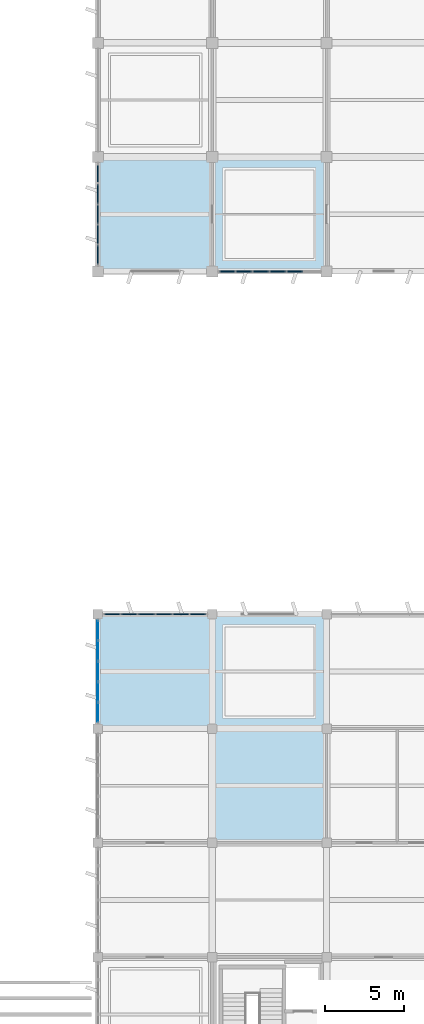
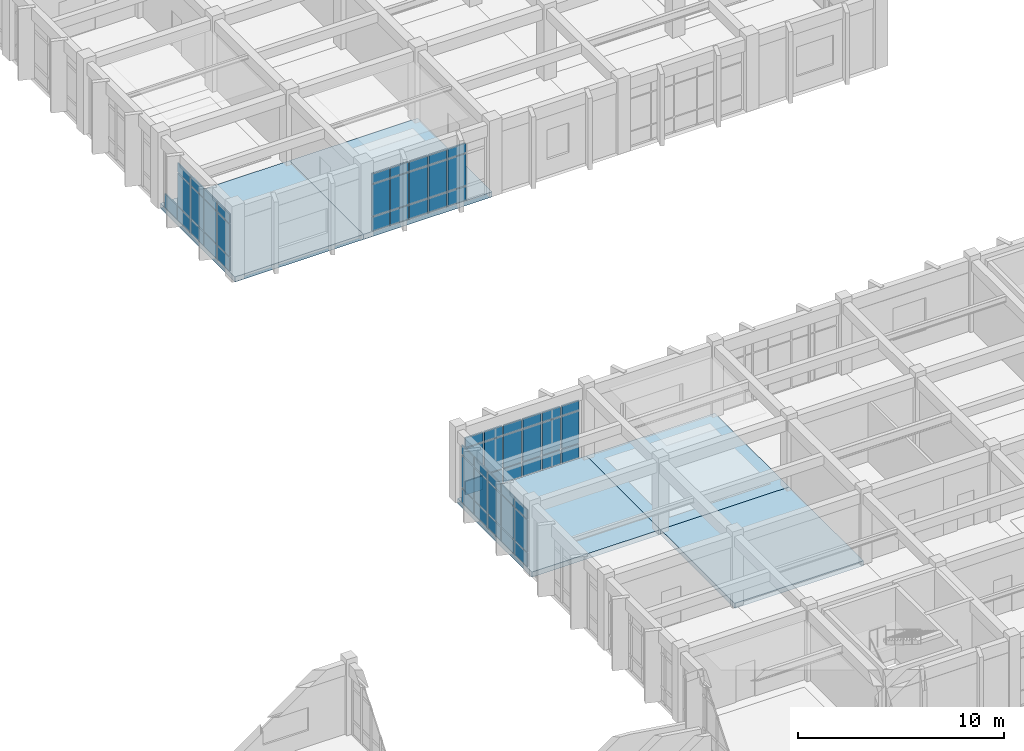
# One storey, part 43 of 81: 61 plates, 5 slabs, 4 elements without a shape of their own.
"""IFC4 building model written with IfcOpenShell, lengths in metres."""

from ifc_helpers import new_model, si_unit, direction, frame, origin, origin_2d, place, context, subcontext, project, spatial, polyline, rectangle, outline, extrude, material, layer, layer_set, type_object, element, aggregate, save


model = new_model("IFC4")

# Units and contexts
model_context = context("Model", 3, precision=1e-05, world=origin(), true_north=direction((0.0, 1.0)))
body_context = subcontext(model_context, "Body", "Model", "MODEL_VIEW")
ifc_project = project(units=[si_unit("LENGTHUNIT", "METRE"), si_unit("AREAUNIT", "SQUARE_METRE"), si_unit("VOLUMEUNIT", "CUBIC_METRE"), si_unit("PLANEANGLEUNIT", "RADIAN"), si_unit("MASSUNIT", "GRAM", prefix="KILO")], contexts=[model_context])

# Site, building, storey
site_placement = place(None, origin())
site = spatial("IfcSite", under=ifc_project, at=site_placement, CompositionType="ELEMENT")
building_placement = place(site_placement, origin())
building = spatial("IfcBuilding", under=site, at=building_placement, Name="Kavelor Marine Aquarium", CompositionType="ELEMENT")
storey_placement = place(building_placement, frame((0.0, 0.0, 4.679931640625)))
storey = spatial("IfcBuildingStorey", under=building, at=storey_placement, Name="L01", CompositionType="ELEMENT", Elevation=4.679931640625)

# Curtain wall, plates
ifc_material_1 = material(Name="Thermally Broken Aluminium and Low-E Glass", Category="aluminium")
ifc_layer_1 = layer(ifc_material_1, 0.196044921875)
ifc_layer_set_1 = layer_set([ifc_layer_1], Name="CW-SYS7")
curtain_wall_type_1 = type_object("IfcCurtainWallType", Name="CW-SYS7", PredefinedType="USERDEFINED", material=ifc_layer_set_1)
curtain_wall_1_placement = place(storey_placement, origin())
curtain_wall_1 = element("IfcCurtainWall", 1, at=curtain_wall_1_placement, inside=storey, type_object=curtain_wall_type_1, Name="cw:y:L01:16_03", ObjectType="Curtain Wall", PredefinedType="USERDEFINED")
ifc_material_2 = material(Name="Solar-Control Double Low-E Glazing", Category="glass")
ifc_layer_2 = layer(ifc_material_2, 0.06201171875)
ifc_layer_set_2 = layer_set([ifc_layer_2], Name="CWP-19")
plate_type_1 = type_object("IfcPlateType", Name="CWP-19", PredefinedType="CURTAIN_PANEL", material=ifc_layer_set_2)
plate_1_placement = place(storey_placement, frame((118.39990234375, 30.585205078125, 0.074951171875), z_axis=(0.0, 0.0, 1.0), x_axis=(0.0, -1.0, 0.0)))
plate_1 = element("IfcPlate", 2, at=plate_1_placement, type_object=plate_type_1, Name="CW07 panel 1.1", PredefinedType="CURTAIN_PANEL", context=body_context, shape_type="SweptSolid", body=[
    extrude(rectangle(XDim=1.189453125, YDim=0.06201171875, at=origin_2d()), origin(), (0.0, 0.0, 1.0), 0.78759765625),
])
plate_2_placement = place(storey_placement, frame((118.39990234375, 30.585205078125, 0.9375), z_axis=(0.0, 0.0, 1.0), x_axis=(0.0, -1.0, 0.0)))
plate_2 = element("IfcPlate", 3, at=plate_2_placement, type_object=plate_type_1, Name="CW07 panel 1.2", PredefinedType="CURTAIN_PANEL", context=body_context, shape_type="SweptSolid", body=[
    extrude(rectangle(XDim=1.189453125, YDim=0.06201171875, at=origin_2d()), origin(), (0.0, 0.0, 1.0), 1.885009765625),
])
plate_3_placement = place(storey_placement, frame((118.39990234375, 30.585205078125, 2.8974609375), z_axis=(0.0, 0.0, 1.0), x_axis=(0.0, -1.0, 0.0)))
plate_3 = element("IfcPlate", 4, at=plate_3_placement, type_object=plate_type_1, Name="CW07 panel 1.3", PredefinedType="CURTAIN_PANEL", context=body_context, shape_type="SweptSolid", body=[
    extrude(rectangle(XDim=1.189453125, YDim=0.06201171875, at=origin_2d()), origin(), (0.0, 0.0, 1.0), 0.53759765625),
])
plate_4_placement = place(storey_placement, frame((118.39990234375, 29.302001953125, 0.074951171875), z_axis=(0.0, 0.0, 1.0), x_axis=(0.0, -1.0, 0.0)))
plate_4 = element("IfcPlate", 5, at=plate_4_placement, type_object=plate_type_1, Name="CW07 panel 2.1", PredefinedType="CURTAIN_PANEL", context=body_context, shape_type="SweptSolid", body=[
    extrude(rectangle(XDim=1.22705078125, YDim=0.06201171875, at=origin_2d()), origin(), (0.0, 0.0, 1.0), 0.78759765625),
])
plate_5_placement = place(storey_placement, frame((118.39990234375, 29.302001953125, 0.9375), z_axis=(0.0, 0.0, 1.0), x_axis=(0.0, -1.0, 0.0)))
plate_5 = element("IfcPlate", 6, at=plate_5_placement, type_object=plate_type_1, Name="CW07 panel 2.2", PredefinedType="CURTAIN_PANEL", context=body_context, shape_type="SweptSolid", body=[
    extrude(rectangle(XDim=1.22705078125, YDim=0.06201171875, at=origin_2d()), origin(), (0.0, 0.0, 1.0), 1.885009765625),
])
plate_6_placement = place(storey_placement, frame((118.39990234375, 29.302001953125, 2.8974609375), z_axis=(0.0, 0.0, 1.0), x_axis=(0.0, -1.0, 0.0)))
plate_6 = element("IfcPlate", 7, at=plate_6_placement, type_object=plate_type_1, Name="CW07 panel 2.3", PredefinedType="CURTAIN_PANEL", context=body_context, shape_type="SweptSolid", body=[
    extrude(rectangle(XDim=1.22705078125, YDim=0.06201171875, at=origin_2d()), origin(), (0.0, 0.0, 1.0), 0.53759765625),
])
plate_7_placement = place(storey_placement, frame((118.39990234375, 28.0, 0.074951171875), z_axis=(0.0, 0.0, 1.0), x_axis=(0.0, -1.0, 0.0)))
plate_7 = element("IfcPlate", 8, at=plate_7_placement, type_object=plate_type_1, Name="CW07 panel 3.1", PredefinedType="CURTAIN_PANEL", context=body_context, shape_type="SweptSolid", body=[
    extrude(rectangle(XDim=1.22705078125, YDim=0.06201171875, at=origin_2d()), origin(), (0.0, 0.0, 1.0), 0.78759765625),
])
plate_8_placement = place(storey_placement, frame((118.39990234375, 28.0, 0.9375), z_axis=(0.0, 0.0, 1.0), x_axis=(0.0, -1.0, 0.0)))
plate_8 = element("IfcPlate", 9, at=plate_8_placement, type_object=plate_type_1, Name="CW07 panel 3.2", PredefinedType="CURTAIN_PANEL", context=body_context, shape_type="SweptSolid", body=[
    extrude(rectangle(XDim=1.22705078125, YDim=0.06201171875, at=origin_2d()), origin(), (0.0, 0.0, 1.0), 1.885009765625),
])
plate_9_placement = place(storey_placement, frame((118.39990234375, 28.0, 2.8974609375), z_axis=(0.0, 0.0, 1.0), x_axis=(0.0, -1.0, 0.0)))
plate_9 = element("IfcPlate", 10, at=plate_9_placement, type_object=plate_type_1, Name="CW07 panel 3.3", PredefinedType="CURTAIN_PANEL", context=body_context, shape_type="SweptSolid", body=[
    extrude(rectangle(XDim=1.22705078125, YDim=0.06201171875, at=origin_2d()), origin(), (0.0, 0.0, 1.0), 0.53759765625),
])
plate_10_placement = place(storey_placement, frame((118.39990234375, 26.697998046875, 0.074951171875), z_axis=(0.0, 0.0, 1.0), x_axis=(0.0, -1.0, 0.0)))
plate_10 = element("IfcPlate", 11, at=plate_10_placement, type_object=plate_type_1, Name="CW07 panel 4.1", PredefinedType="CURTAIN_PANEL", context=body_context, shape_type="SweptSolid", body=[
    extrude(rectangle(XDim=1.22705078125, YDim=0.06201171875, at=origin_2d()), origin(), (0.0, 0.0, 1.0), 0.78759765625),
])
plate_11_placement = place(storey_placement, frame((118.39990234375, 26.697998046875, 0.9375), z_axis=(0.0, 0.0, 1.0), x_axis=(0.0, -1.0, 0.0)))
plate_11 = element("IfcPlate", 12, at=plate_11_placement, type_object=plate_type_1, Name="CW07 panel 4.2", PredefinedType="CURTAIN_PANEL", context=body_context, shape_type="SweptSolid", body=[
    extrude(rectangle(XDim=1.22705078125, YDim=0.06201171875, at=origin_2d()), origin(), (0.0, 0.0, 1.0), 1.885009765625),
])
plate_12_placement = place(storey_placement, frame((118.39990234375, 26.697998046875, 2.8974609375), z_axis=(0.0, 0.0, 1.0), x_axis=(0.0, -1.0, 0.0)))
plate_12 = element("IfcPlate", 13, at=plate_12_placement, type_object=plate_type_1, Name="CW07 panel 4.3", PredefinedType="CURTAIN_PANEL", context=body_context, shape_type="SweptSolid", body=[
    extrude(rectangle(XDim=1.22705078125, YDim=0.06201171875, at=origin_2d()), origin(), (0.0, 0.0, 1.0), 0.53759765625),
])
plate_13_placement = place(storey_placement, frame((118.39990234375, 25.414794921875, 0.074951171875), z_axis=(0.0, 0.0, 1.0), x_axis=(0.0, -1.0, 0.0)))
plate_13 = element("IfcPlate", 14, at=plate_13_placement, type_object=plate_type_1, Name="CW07 panel 5.1", PredefinedType="CURTAIN_PANEL", context=body_context, shape_type="SweptSolid", body=[
    extrude(rectangle(XDim=1.189453125, YDim=0.06201171875, at=origin_2d()), origin(), (0.0, 0.0, 1.0), 0.78759765625),
])
plate_14_placement = place(storey_placement, frame((118.39990234375, 25.414794921875, 0.9375), z_axis=(0.0, 0.0, 1.0), x_axis=(0.0, -1.0, 0.0)))
plate_14 = element("IfcPlate", 15, at=plate_14_placement, type_object=plate_type_1, Name="CW07 panel 5.2", PredefinedType="CURTAIN_PANEL", context=body_context, shape_type="SweptSolid", body=[
    extrude(rectangle(XDim=1.189453125, YDim=0.06201171875, at=origin_2d()), origin(), (0.0, 0.0, 1.0), 1.885009765625),
])
plate_15_placement = place(storey_placement, frame((118.39990234375, 25.414794921875, 2.8974609375), z_axis=(0.0, 0.0, 1.0), x_axis=(0.0, -1.0, 0.0)))
plate_15 = element("IfcPlate", 16, at=plate_15_placement, type_object=plate_type_1, Name="CW07 panel 5.3", PredefinedType="CURTAIN_PANEL", context=body_context, shape_type="SweptSolid", body=[
    extrude(rectangle(XDim=1.189453125, YDim=0.06201171875, at=origin_2d()), origin(), (0.0, 0.0, 1.0), 0.53759765625),
])
aggregate(curtain_wall_1, [plate_1, plate_2, plate_3, plate_4, plate_5, plate_6, plate_7, plate_8, plate_9, plate_10, plate_11, plate_12, plate_13, plate_14, plate_15])

ifc_material_3 = material(Name="Thermally Broken Aluminium and Low-E Glass", Category="aluminium")
ifc_layer_3 = layer(ifc_material_3, 0.2041015625)
ifc_layer_set_3 = layer_set([ifc_layer_3], Name="CW-SYS8")
curtain_wall_type_2 = type_object("IfcCurtainWallType", Name="CW-SYS8", PredefinedType="USERDEFINED", material=ifc_layer_set_3)
curtain_wall_2_placement = place(storey_placement, origin())
curtain_wall_2 = element("IfcCurtainWall", 17, at=curtain_wall_2_placement, inside=storey, type_object=curtain_wall_type_2, Name="cw:y:L01:16_07", ObjectType="Curtain Wall", PredefinedType="USERDEFINED")
ifc_material_4 = material(Name="Solar-Control Double Low-E Glazing", Category="glass")
ifc_layer_4 = layer(ifc_material_4, 0.06396484375)
ifc_layer_set_4 = layer_set([ifc_layer_4], Name="CWP-20")
plate_type_2 = type_object("IfcPlateType", Name="CWP-20", PredefinedType="CURTAIN_PANEL", material=ifc_layer_set_4)
plate_16_placement = place(storey_placement, frame((118.39990234375, 59.34765625, 0.06494140625), z_axis=(0.0, 0.0, 1.0), x_axis=(0.0, -1.0, 0.0)))
plate_16 = element("IfcPlate", 18, at=plate_16_placement, type_object=plate_type_2, Name="CW08 panel 1.1", PredefinedType="CURTAIN_PANEL", context=body_context, shape_type="SweptSolid", body=[
    extrude(rectangle(XDim=1.1845703125, YDim=0.06396484375, at=origin_2d()), origin(), (0.0, 0.0, 1.0), 0.802490234375),
])
plate_17_placement = place(storey_placement, frame((118.39990234375, 58.08203125, 0.06494140625), z_axis=(0.0, 0.0, 1.0), x_axis=(0.0, -1.0, 0.0)))
plate_17 = element("IfcPlate", 19, at=plate_17_placement, type_object=plate_type_2, Name="CW08 panel 2.1", PredefinedType="CURTAIN_PANEL", context=body_context, shape_type="SweptSolid", body=[
    extrude(rectangle(XDim=1.217041015625, YDim=0.06396484375, at=origin_2d()), origin(), (0.0, 0.0, 1.0), 0.802490234375),
])
plate_18_placement = place(storey_placement, frame((118.39990234375, 58.08203125, 0.9326171875), z_axis=(0.0, 0.0, 1.0), x_axis=(0.0, -1.0, 0.0)))
plate_18 = element("IfcPlate", 20, at=plate_18_placement, type_object=plate_type_2, Name="CW08 panel 2.2", PredefinedType="CURTAIN_PANEL", context=body_context, shape_type="SweptSolid", body=[
    extrude(rectangle(XDim=1.217041015625, YDim=0.06396484375, at=origin_2d()), origin(), (0.0, 0.0, 1.0), 1.89501953125),
])
plate_19_placement = place(storey_placement, frame((118.39990234375, 58.08203125, 2.892578125), z_axis=(0.0, 0.0, 1.0), x_axis=(0.0, -1.0, 0.0)))
plate_19 = element("IfcPlate", 21, at=plate_19_placement, type_object=plate_type_2, Name="CW08 panel 2.3", PredefinedType="CURTAIN_PANEL", context=body_context, shape_type="SweptSolid", body=[
    extrude(rectangle(XDim=1.217041015625, YDim=0.06396484375, at=origin_2d()), origin(), (0.0, 0.0, 1.0), 0.552490234375),
])
plate_20_placement = place(storey_placement, frame((118.39990234375, 56.800048828125, 0.06494140625), z_axis=(0.0, 0.0, 1.0), x_axis=(0.0, -1.0, 0.0)))
plate_20 = element("IfcPlate", 22, at=plate_20_placement, type_object=plate_type_2, Name="CW08 panel 3.1", PredefinedType="CURTAIN_PANEL", context=body_context, shape_type="SweptSolid", body=[
    extrude(rectangle(XDim=1.217041015625, YDim=0.06396484375, at=origin_2d()), origin(), (0.0, 0.0, 1.0), 0.802490234375),
])
plate_21_placement = place(storey_placement, frame((118.39990234375, 56.800048828125, 0.9326171875), z_axis=(0.0, 0.0, 1.0), x_axis=(0.0, -1.0, 0.0)))
plate_21 = element("IfcPlate", 23, at=plate_21_placement, type_object=plate_type_2, Name="CW08 panel 3.2", PredefinedType="CURTAIN_PANEL", context=body_context, shape_type="SweptSolid", body=[
    extrude(rectangle(XDim=1.217041015625, YDim=0.06396484375, at=origin_2d()), origin(), (0.0, 0.0, 1.0), 1.89501953125),
])
plate_22_placement = place(storey_placement, frame((118.39990234375, 56.800048828125, 2.892578125), z_axis=(0.0, 0.0, 1.0), x_axis=(0.0, -1.0, 0.0)))
plate_22 = element("IfcPlate", 24, at=plate_22_placement, type_object=plate_type_2, Name="CW08 panel 3.3", PredefinedType="CURTAIN_PANEL", context=body_context, shape_type="SweptSolid", body=[
    extrude(rectangle(XDim=1.217041015625, YDim=0.06396484375, at=origin_2d()), origin(), (0.0, 0.0, 1.0), 0.552490234375),
])
plate_23_placement = place(storey_placement, frame((118.39990234375, 55.51806640625, 0.06494140625), z_axis=(0.0, 0.0, 1.0), x_axis=(0.0, -1.0, 0.0)))
plate_23 = element("IfcPlate", 25, at=plate_23_placement, type_object=plate_type_2, Name="CW08 panel 4.1", PredefinedType="CURTAIN_PANEL", context=body_context, shape_type="SweptSolid", body=[
    extrude(rectangle(XDim=1.217041015625, YDim=0.06396484375, at=origin_2d()), origin(), (0.0, 0.0, 1.0), 0.802490234375),
])
plate_24_placement = place(storey_placement, frame((118.39990234375, 55.51806640625, 0.9326171875), z_axis=(0.0, 0.0, 1.0), x_axis=(0.0, -1.0, 0.0)))
plate_24 = element("IfcPlate", 26, at=plate_24_placement, type_object=plate_type_2, Name="CW08 panel 4.2", PredefinedType="CURTAIN_PANEL", context=body_context, shape_type="SweptSolid", body=[
    extrude(rectangle(XDim=1.217041015625, YDim=0.06396484375, at=origin_2d()), origin(), (0.0, 0.0, 1.0), 1.89501953125),
])
plate_25_placement = place(storey_placement, frame((118.39990234375, 55.51806640625, 2.892578125), z_axis=(0.0, 0.0, 1.0), x_axis=(0.0, -1.0, 0.0)))
plate_25 = element("IfcPlate", 27, at=plate_25_placement, type_object=plate_type_2, Name="CW08 panel 4.3", PredefinedType="CURTAIN_PANEL", context=body_context, shape_type="SweptSolid", body=[
    extrude(rectangle(XDim=1.217041015625, YDim=0.06396484375, at=origin_2d()), origin(), (0.0, 0.0, 1.0), 0.552490234375),
])
plate_26_placement = place(storey_placement, frame((118.39990234375, 54.252197265625, 0.06494140625), z_axis=(0.0, 0.0, 1.0), x_axis=(0.0, -1.0, 0.0)))
plate_26 = element("IfcPlate", 28, at=plate_26_placement, type_object=plate_type_2, Name="CW08 panel 5.1", PredefinedType="CURTAIN_PANEL", context=body_context, shape_type="SweptSolid", body=[
    extrude(rectangle(XDim=1.1845703125, YDim=0.06396484375, at=origin_2d()), origin(), (0.0, 0.0, 1.0), 0.802490234375),
])
plate_27_placement = place(storey_placement, frame((118.39990234375, 54.252197265625, 0.9326171875), z_axis=(0.0, 0.0, 1.0), x_axis=(0.0, -1.0, 0.0)))
plate_27 = element("IfcPlate", 29, at=plate_27_placement, type_object=plate_type_2, Name="CW08 panel 5.2", PredefinedType="CURTAIN_PANEL", context=body_context, shape_type="SweptSolid", body=[
    extrude(rectangle(XDim=1.1845703125, YDim=0.06396484375, at=origin_2d()), origin(), (0.0, 0.0, 1.0), 1.89501953125),
])
plate_28_placement = place(storey_placement, frame((118.39990234375, 54.252197265625, 2.892578125), z_axis=(0.0, 0.0, 1.0), x_axis=(0.0, -1.0, 0.0)))
plate_28 = element("IfcPlate", 30, at=plate_28_placement, type_object=plate_type_2, Name="CW08 panel 5.3", PredefinedType="CURTAIN_PANEL", context=body_context, shape_type="SweptSolid", body=[
    extrude(rectangle(XDim=1.1845703125, YDim=0.06396484375, at=origin_2d()), origin(), (0.0, 0.0, 1.0), 0.552490234375),
])
aggregate(curtain_wall_2, [plate_16, plate_17, plate_18, plate_19, plate_20, plate_21, plate_22, plate_23, plate_24, plate_25, plate_26, plate_27, plate_28])

ifc_material_5 = material(Name="Thermally Broken Aluminium and Low-E Glass", Category="aluminium")
ifc_layer_5 = layer(ifc_material_5, 0.172119140625)
ifc_layer_set_5 = layer_set([ifc_layer_5], Name="CW-SYS4")
curtain_wall_type_3 = type_object("IfcCurtainWallType", Name="CW-SYS4", PredefinedType="USERDEFINED", material=ifc_layer_set_5)
curtain_wall_3_placement = place(storey_placement, origin())
curtain_wall_3 = element("IfcCurtainWall", 31, at=curtain_wall_3_placement, inside=storey, type_object=curtain_wall_type_3, Name="cw:x:L01:16_04", ObjectType="Curtain Wall", PredefinedType="USERDEFINED")
ifc_material_6 = material(Name="Solar-Control Double Low-E Glazing", Category="glass")
ifc_layer_6 = layer(ifc_material_6, 0.080078125)
ifc_layer_set_6 = layer_set([ifc_layer_6], Name="CWP-28")
plate_type_3 = type_object("IfcPlateType", Name="CWP-28", PredefinedType="CURTAIN_PANEL", material=ifc_layer_set_6)
plate_29_placement = place(storey_placement, frame((119.30615234375, 31.60009765625, 0.06005859375), z_axis=(0.0, 0.0, 1.0), x_axis=(1.0, 0.0, 0.0)))
plate_29 = element("IfcPlate", 32, at=plate_29_placement, type_object=plate_type_3, Name="CW04 panel 1.1", PredefinedType="CURTAIN_PANEL", context=body_context, shape_type="SweptSolid", body=[
    extrude(rectangle(XDim=0.972412109375, YDim=0.080078125, at=origin_2d()), origin(), (0.0, 0.0, 1.0), 0.81005859375),
])
plate_30_placement = place(storey_placement, frame((119.30615234375, 31.60009765625, 0.93017578125), z_axis=(0.0, 0.0, 1.0), x_axis=(1.0, 0.0, 0.0)))
plate_30 = element("IfcPlate", 33, at=plate_30_placement, type_object=plate_type_3, Name="CW04 panel 1.2", PredefinedType="CURTAIN_PANEL", context=body_context, shape_type="SweptSolid", body=[
    extrude(rectangle(XDim=0.972412109375, YDim=0.080078125, at=origin_2d()), origin(), (0.0, 0.0, 1.0), 1.89990234375),
])
plate_31_placement = place(storey_placement, frame((119.30615234375, 31.60009765625, 2.89013671875), z_axis=(0.0, 0.0, 1.0), x_axis=(1.0, 0.0, 0.0)))
plate_31 = element("IfcPlate", 34, at=plate_31_placement, type_object=plate_type_3, Name="CW04 panel 1.3", PredefinedType="CURTAIN_PANEL", context=body_context, shape_type="SweptSolid", body=[
    extrude(rectangle(XDim=0.972412109375, YDim=0.080078125, at=origin_2d()), origin(), (0.0, 0.0, 1.0), 0.56005859375),
])
plate_32_placement = place(storey_placement, frame((120.37255859375, 31.60009765625, 0.06005859375), z_axis=(0.0, 0.0, 1.0), x_axis=(1.0, 0.0, 0.0)))
plate_32 = element("IfcPlate", 35, at=plate_32_placement, type_object=plate_type_3, Name="CW04 panel 2.1", PredefinedType="CURTAIN_PANEL", context=body_context, shape_type="SweptSolid", body=[
    extrude(rectangle(XDim=1.010009765625, YDim=0.080078125, at=origin_2d()), origin(), (0.0, 0.0, 1.0), 0.81005859375),
])
plate_33_placement = place(storey_placement, frame((120.37255859375, 31.60009765625, 0.93017578125), z_axis=(0.0, 0.0, 1.0), x_axis=(1.0, 0.0, 0.0)))
plate_33 = element("IfcPlate", 36, at=plate_33_placement, type_object=plate_type_3, Name="CW04 panel 2.2", PredefinedType="CURTAIN_PANEL", context=body_context, shape_type="SweptSolid", body=[
    extrude(rectangle(XDim=1.010009765625, YDim=0.080078125, at=origin_2d()), origin(), (0.0, 0.0, 1.0), 1.89990234375),
])
plate_34_placement = place(storey_placement, frame((120.37255859375, 31.60009765625, 2.89013671875), z_axis=(0.0, 0.0, 1.0), x_axis=(1.0, 0.0, 0.0)))
plate_34 = element("IfcPlate", 37, at=plate_34_placement, type_object=plate_type_3, Name="CW04 panel 2.3", PredefinedType="CURTAIN_PANEL", context=body_context, shape_type="SweptSolid", body=[
    extrude(rectangle(XDim=1.010009765625, YDim=0.080078125, at=origin_2d()), origin(), (0.0, 0.0, 1.0), 0.56005859375),
])
plate_35_placement = place(storey_placement, frame((121.45751953125, 31.60009765625, 0.06005859375), z_axis=(0.0, 0.0, 1.0), x_axis=(1.0, 0.0, 0.0)))
plate_35 = element("IfcPlate", 38, at=plate_35_placement, type_object=plate_type_3, Name="CW04 panel 3.1", PredefinedType="CURTAIN_PANEL", context=body_context, shape_type="SweptSolid", body=[
    extrude(rectangle(XDim=1.010009765625, YDim=0.080078125, at=origin_2d()), origin(), (0.0, 0.0, 1.0), 0.81005859375),
])
plate_36_placement = place(storey_placement, frame((121.45751953125, 31.60009765625, 0.93017578125), z_axis=(0.0, 0.0, 1.0), x_axis=(1.0, 0.0, 0.0)))
plate_36 = element("IfcPlate", 39, at=plate_36_placement, type_object=plate_type_3, Name="CW04 panel 3.2", PredefinedType="CURTAIN_PANEL", context=body_context, shape_type="SweptSolid", body=[
    extrude(rectangle(XDim=1.010009765625, YDim=0.080078125, at=origin_2d()), origin(), (0.0, 0.0, 1.0), 1.89990234375),
])
plate_37_placement = place(storey_placement, frame((121.45751953125, 31.60009765625, 2.89013671875), z_axis=(0.0, 0.0, 1.0), x_axis=(1.0, 0.0, 0.0)))
plate_37 = element("IfcPlate", 40, at=plate_37_placement, type_object=plate_type_3, Name="CW04 panel 3.3", PredefinedType="CURTAIN_PANEL", context=body_context, shape_type="SweptSolid", body=[
    extrude(rectangle(XDim=1.010009765625, YDim=0.080078125, at=origin_2d()), origin(), (0.0, 0.0, 1.0), 0.56005859375),
])
plate_38_placement = place(storey_placement, frame((122.54248046875, 31.60009765625, 0.06005859375), z_axis=(0.0, 0.0, 1.0), x_axis=(1.0, 0.0, 0.0)))
plate_38 = element("IfcPlate", 41, at=plate_38_placement, type_object=plate_type_3, Name="CW04 panel 4.1", PredefinedType="CURTAIN_PANEL", context=body_context, shape_type="SweptSolid", body=[
    extrude(rectangle(XDim=1.010009765625, YDim=0.080078125, at=origin_2d()), origin(), (0.0, 0.0, 1.0), 0.81005859375),
])
plate_39_placement = place(storey_placement, frame((122.54248046875, 31.60009765625, 0.93017578125), z_axis=(0.0, 0.0, 1.0), x_axis=(1.0, 0.0, 0.0)))
plate_39 = element("IfcPlate", 42, at=plate_39_placement, type_object=plate_type_3, Name="CW04 panel 4.2", PredefinedType="CURTAIN_PANEL", context=body_context, shape_type="SweptSolid", body=[
    extrude(rectangle(XDim=1.010009765625, YDim=0.080078125, at=origin_2d()), origin(), (0.0, 0.0, 1.0), 1.89990234375),
])
plate_40_placement = place(storey_placement, frame((122.54248046875, 31.60009765625, 2.89013671875), z_axis=(0.0, 0.0, 1.0), x_axis=(1.0, 0.0, 0.0)))
plate_40 = element("IfcPlate", 43, at=plate_40_placement, type_object=plate_type_3, Name="CW04 panel 4.3", PredefinedType="CURTAIN_PANEL", context=body_context, shape_type="SweptSolid", body=[
    extrude(rectangle(XDim=1.010009765625, YDim=0.080078125, at=origin_2d()), origin(), (0.0, 0.0, 1.0), 0.56005859375),
])
plate_41_placement = place(storey_placement, frame((123.62744140625, 31.60009765625, 0.06005859375), z_axis=(0.0, 0.0, 1.0), x_axis=(1.0, 0.0, 0.0)))
plate_41 = element("IfcPlate", 44, at=plate_41_placement, type_object=plate_type_3, Name="CW04 panel 5.1", PredefinedType="CURTAIN_PANEL", context=body_context, shape_type="SweptSolid", body=[
    extrude(rectangle(XDim=1.010009765625, YDim=0.080078125, at=origin_2d()), origin(), (0.0, 0.0, 1.0), 0.81005859375),
])
plate_42_placement = place(storey_placement, frame((123.62744140625, 31.60009765625, 0.93017578125), z_axis=(0.0, 0.0, 1.0), x_axis=(1.0, 0.0, 0.0)))
plate_42 = element("IfcPlate", 45, at=plate_42_placement, type_object=plate_type_3, Name="CW04 panel 5.2", PredefinedType="CURTAIN_PANEL", context=body_context, shape_type="SweptSolid", body=[
    extrude(rectangle(XDim=1.010009765625, YDim=0.080078125, at=origin_2d()), origin(), (0.0, 0.0, 1.0), 1.89990234375),
])
plate_43_placement = place(storey_placement, frame((123.62744140625, 31.60009765625, 2.89013671875), z_axis=(0.0, 0.0, 1.0), x_axis=(1.0, 0.0, 0.0)))
plate_43 = element("IfcPlate", 46, at=plate_43_placement, type_object=plate_type_3, Name="CW04 panel 5.3", PredefinedType="CURTAIN_PANEL", context=body_context, shape_type="SweptSolid", body=[
    extrude(rectangle(XDim=1.010009765625, YDim=0.080078125, at=origin_2d()), origin(), (0.0, 0.0, 1.0), 0.56005859375),
])
plate_44_placement = place(storey_placement, frame((124.69384765625, 31.60009765625, 0.06005859375), z_axis=(0.0, 0.0, 1.0), x_axis=(1.0, 0.0, 0.0)))
plate_44 = element("IfcPlate", 47, at=plate_44_placement, type_object=plate_type_3, Name="CW04 panel 6.1", PredefinedType="CURTAIN_PANEL", context=body_context, shape_type="SweptSolid", body=[
    extrude(rectangle(XDim=0.972412109375, YDim=0.080078125, at=origin_2d()), origin(), (0.0, 0.0, 1.0), 0.81005859375),
])
plate_45_placement = place(storey_placement, frame((124.69384765625, 31.60009765625, 0.93017578125), z_axis=(0.0, 0.0, 1.0), x_axis=(1.0, 0.0, 0.0)))
plate_45 = element("IfcPlate", 48, at=plate_45_placement, type_object=plate_type_3, Name="CW04 panel 6.2", PredefinedType="CURTAIN_PANEL", context=body_context, shape_type="SweptSolid", body=[
    extrude(rectangle(XDim=0.972412109375, YDim=0.080078125, at=origin_2d()), origin(), (0.0, 0.0, 1.0), 1.89990234375),
])
plate_46_placement = place(storey_placement, frame((124.69384765625, 31.60009765625, 2.89013671875), z_axis=(0.0, 0.0, 1.0), x_axis=(1.0, 0.0, 0.0)))
plate_46 = element("IfcPlate", 49, at=plate_46_placement, type_object=plate_type_3, Name="CW04 panel 6.3", PredefinedType="CURTAIN_PANEL", context=body_context, shape_type="SweptSolid", body=[
    extrude(rectangle(XDim=0.972412109375, YDim=0.080078125, at=origin_2d()), origin(), (0.0, 0.0, 1.0), 0.56005859375),
])
aggregate(curtain_wall_3, [plate_29, plate_30, plate_31, plate_32, plate_33, plate_34, plate_35, plate_36, plate_37, plate_38, plate_39, plate_40, plate_41, plate_42, plate_43, plate_44, plate_45, plate_46])

ifc_material_7 = material(Name="Thermally Broken Aluminium and Low-E Glass", Category="aluminium")
ifc_layer_7 = layer(ifc_material_7, 0.179931640625)
ifc_layer_set_7 = layer_set([ifc_layer_7], Name="CW-SYS5")
curtain_wall_type_4 = type_object("IfcCurtainWallType", Name="CW-SYS5", PredefinedType="USERDEFINED", material=ifc_layer_set_7)
curtain_wall_4_placement = place(storey_placement, origin())
curtain_wall_4 = element("IfcCurtainWall", 50, at=curtain_wall_4_placement, inside=storey, type_object=curtain_wall_type_4, Name="cw:x:L01:17_07", ObjectType="Curtain Wall", PredefinedType="USERDEFINED")
ifc_material_8 = material(Name="Solar-Control Double Low-E Glazing", Category="glass")
ifc_layer_8 = layer(ifc_material_8, 0.08203125)
ifc_layer_set_8 = layer_set([ifc_layer_8], Name="CWP-29")
plate_type_4 = type_object("IfcPlateType", Name="CWP-29", PredefinedType="CURTAIN_PANEL", material=ifc_layer_set_8)
plate_47_placement = place(storey_placement, frame((130.802490234375, 53.199951171875, 0.06005859375), z_axis=(0.0, 0.0, 1.0), x_axis=(-1.0, 0.0, 0.0)))
plate_47 = element("IfcPlate", 51, at=plate_47_placement, type_object=plate_type_4, Name="CW05 panel 2.1", PredefinedType="CURTAIN_PANEL", context=body_context, shape_type="SweptSolid", body=[
    extrude(rectangle(XDim=1.00341796875, YDim=0.08203125, at=origin_2d()), origin(), (0.0, 0.0, 1.0), 0.81005859375),
])
plate_48_placement = place(storey_placement, frame((130.802490234375, 53.199951171875, 0.93017578125), z_axis=(0.0, 0.0, 1.0), x_axis=(-1.0, 0.0, 0.0)))
plate_48 = element("IfcPlate", 52, at=plate_48_placement, type_object=plate_type_4, Name="CW05 panel 2.2", PredefinedType="CURTAIN_PANEL", context=body_context, shape_type="SweptSolid", body=[
    extrude(rectangle(XDim=1.00341796875, YDim=0.08203125, at=origin_2d()), origin(), (0.0, 0.0, 1.0), 1.8798828125),
])
plate_49_placement = place(storey_placement, frame((130.802490234375, 53.199951171875, 2.8701171875), z_axis=(0.0, 0.0, 1.0), x_axis=(-1.0, 0.0, 0.0)))
plate_49 = element("IfcPlate", 53, at=plate_49_placement, type_object=plate_type_4, Name="CW05 panel 2.3", PredefinedType="CURTAIN_PANEL", context=body_context, shape_type="SweptSolid", body=[
    extrude(rectangle(XDim=1.00341796875, YDim=0.08203125, at=origin_2d()), origin(), (0.0, 0.0, 1.0), 0.56005859375),
])
plate_50_placement = place(storey_placement, frame((129.734130859375, 53.199951171875, 0.06005859375), z_axis=(0.0, 0.0, 1.0), x_axis=(-1.0, 0.0, 0.0)))
plate_50 = element("IfcPlate", 54, at=plate_50_placement, type_object=plate_type_4, Name="CW05 panel 3.1", PredefinedType="CURTAIN_PANEL", context=body_context, shape_type="SweptSolid", body=[
    extrude(rectangle(XDim=1.00341796875, YDim=0.08203125, at=origin_2d()), origin(), (0.0, 0.0, 1.0), 0.81005859375),
])
plate_51_placement = place(storey_placement, frame((129.734130859375, 53.199951171875, 0.93017578125), z_axis=(0.0, 0.0, 1.0), x_axis=(-1.0, 0.0, 0.0)))
plate_51 = element("IfcPlate", 55, at=plate_51_placement, type_object=plate_type_4, Name="CW05 panel 3.2", PredefinedType="CURTAIN_PANEL", context=body_context, shape_type="SweptSolid", body=[
    extrude(rectangle(XDim=1.00341796875, YDim=0.08203125, at=origin_2d()), origin(), (0.0, 0.0, 1.0), 1.8798828125),
])
plate_52_placement = place(storey_placement, frame((129.734130859375, 53.199951171875, 2.8701171875), z_axis=(0.0, 0.0, 1.0), x_axis=(-1.0, 0.0, 0.0)))
plate_52 = element("IfcPlate", 56, at=plate_52_placement, type_object=plate_type_4, Name="CW05 panel 3.3", PredefinedType="CURTAIN_PANEL", context=body_context, shape_type="SweptSolid", body=[
    extrude(rectangle(XDim=1.00341796875, YDim=0.08203125, at=origin_2d()), origin(), (0.0, 0.0, 1.0), 0.56005859375),
])
plate_53_placement = place(storey_placement, frame((128.665771484375, 53.199951171875, 0.06005859375), z_axis=(0.0, 0.0, 1.0), x_axis=(-1.0, 0.0, 0.0)))
plate_53 = element("IfcPlate", 57, at=plate_53_placement, type_object=plate_type_4, Name="CW05 panel 4.1", PredefinedType="CURTAIN_PANEL", context=body_context, shape_type="SweptSolid", body=[
    extrude(rectangle(XDim=1.00341796875, YDim=0.08203125, at=origin_2d()), origin(), (0.0, 0.0, 1.0), 0.81005859375),
])
plate_54_placement = place(storey_placement, frame((128.665771484375, 53.199951171875, 0.93017578125), z_axis=(0.0, 0.0, 1.0), x_axis=(-1.0, 0.0, 0.0)))
plate_54 = element("IfcPlate", 58, at=plate_54_placement, type_object=plate_type_4, Name="CW05 panel 4.2", PredefinedType="CURTAIN_PANEL", context=body_context, shape_type="SweptSolid", body=[
    extrude(rectangle(XDim=1.00341796875, YDim=0.08203125, at=origin_2d()), origin(), (0.0, 0.0, 1.0), 1.8798828125),
])
plate_55_placement = place(storey_placement, frame((128.665771484375, 53.199951171875, 2.8701171875), z_axis=(0.0, 0.0, 1.0), x_axis=(-1.0, 0.0, 0.0)))
plate_55 = element("IfcPlate", 59, at=plate_55_placement, type_object=plate_type_4, Name="CW05 panel 4.3", PredefinedType="CURTAIN_PANEL", context=body_context, shape_type="SweptSolid", body=[
    extrude(rectangle(XDim=1.00341796875, YDim=0.08203125, at=origin_2d()), origin(), (0.0, 0.0, 1.0), 0.56005859375),
])
plate_56_placement = place(storey_placement, frame((127.597412109375, 53.199951171875, 0.06005859375), z_axis=(0.0, 0.0, 1.0), x_axis=(-1.0, 0.0, 0.0)))
plate_56 = element("IfcPlate", 60, at=plate_56_placement, type_object=plate_type_4, Name="CW05 panel 5.1", PredefinedType="CURTAIN_PANEL", context=body_context, shape_type="SweptSolid", body=[
    extrude(rectangle(XDim=1.00341796875, YDim=0.08203125, at=origin_2d()), origin(), (0.0, 0.0, 1.0), 0.81005859375),
])
plate_57_placement = place(storey_placement, frame((127.597412109375, 53.199951171875, 0.93017578125), z_axis=(0.0, 0.0, 1.0), x_axis=(-1.0, 0.0, 0.0)))
plate_57 = element("IfcPlate", 61, at=plate_57_placement, type_object=plate_type_4, Name="CW05 panel 5.2", PredefinedType="CURTAIN_PANEL", context=body_context, shape_type="SweptSolid", body=[
    extrude(rectangle(XDim=1.00341796875, YDim=0.08203125, at=origin_2d()), origin(), (0.0, 0.0, 1.0), 1.8798828125),
])
plate_58_placement = place(storey_placement, frame((127.597412109375, 53.199951171875, 2.8701171875), z_axis=(0.0, 0.0, 1.0), x_axis=(-1.0, 0.0, 0.0)))
plate_58 = element("IfcPlate", 62, at=plate_58_placement, type_object=plate_type_4, Name="CW05 panel 5.3", PredefinedType="CURTAIN_PANEL", context=body_context, shape_type="SweptSolid", body=[
    extrude(rectangle(XDim=1.00341796875, YDim=0.08203125, at=origin_2d()), origin(), (0.0, 0.0, 1.0), 0.56005859375),
])
plate_59_placement = place(storey_placement, frame((126.54541015625, 53.199951171875, 0.06005859375), z_axis=(0.0, 0.0, 1.0), x_axis=(-1.0, 0.0, 0.0)))
plate_59 = element("IfcPlate", 63, at=plate_59_placement, type_object=plate_type_4, Name="CW05 panel 6.1", PredefinedType="CURTAIN_PANEL", context=body_context, shape_type="SweptSolid", body=[
    extrude(rectangle(XDim=0.970947265625, YDim=0.08203125, at=origin_2d()), origin(), (0.0, 0.0, 1.0), 0.81005859375),
])
plate_60_placement = place(storey_placement, frame((126.54541015625, 53.199951171875, 0.93017578125), z_axis=(0.0, 0.0, 1.0), x_axis=(-1.0, 0.0, 0.0)))
plate_60 = element("IfcPlate", 64, at=plate_60_placement, type_object=plate_type_4, Name="CW05 panel 6.2", PredefinedType="CURTAIN_PANEL", context=body_context, shape_type="SweptSolid", body=[
    extrude(rectangle(XDim=0.970947265625, YDim=0.08203125, at=origin_2d()), origin(), (0.0, 0.0, 1.0), 1.8798828125),
])
plate_61_placement = place(storey_placement, frame((126.54541015625, 53.199951171875, 2.8701171875), z_axis=(0.0, 0.0, 1.0), x_axis=(-1.0, 0.0, 0.0)))
plate_61 = element("IfcPlate", 65, at=plate_61_placement, type_object=plate_type_4, Name="CW05 panel 6.3", PredefinedType="CURTAIN_PANEL", context=body_context, shape_type="SweptSolid", body=[
    extrude(rectangle(XDim=0.970947265625, YDim=0.08203125, at=origin_2d()), origin(), (0.0, 0.0, 1.0), 0.56005859375),
])
aggregate(curtain_wall_4, [plate_47, plate_48, plate_49, plate_50, plate_51, plate_52, plate_53, plate_54, plate_55, plate_56, plate_57, plate_58, plate_59, plate_60, plate_61])

# Slabs
ifc_material_9 = material(Name="Concrete C40/50", Category="concrete")
ifc_layer_9 = layer(ifc_material_9, 0.300048828125)
ifc_layer_set_9 = layer_set([ifc_layer_9], Name="SL-FL1")
slab_type = type_object("IfcSlabType", Name="SL-FL1", PredefinedType="FLOOR", material=ifc_layer_set_9)
slab_1_placement = place(storey_placement, frame((0.0, 0.0, -0.300048828125)))
element("IfcSlab", 66, at=slab_1_placement, inside=storey, type_object=slab_type, Name="slab:L01:16_03", PredefinedType="FLOOR", context=body_context, shape_type="SweptSolid", body=[
    extrude(outline(polyline([(118.39990234375, 24.39990234375), (125.60009765625, 24.39990234375), (125.60009765625, 31.60009765625), (118.39990234375, 31.60009765625), (118.39990234375, 24.39990234375)])), origin(), (0.0, 0.0, 1.0), 0.300048828125),
])
slab_2_placement = place(storey_placement, frame((0.0, 0.0, -0.300048828125)))
element("IfcSlab", 67, at=slab_2_placement, inside=storey, type_object=slab_type, Name="slab:L01:16_07", PredefinedType="FLOOR", context=body_context, shape_type="SweptSolid", body=[
    extrude(outline(polyline([(118.39990234375, 53.199951171875), (125.60009765625, 53.199951171875), (125.60009765625, 60.39990234375), (118.39990234375, 60.39990234375), (118.39990234375, 53.199951171875)])), origin(), (0.0, 0.0, 1.0), 0.300048828125),
])
slab_3_placement = place(storey_placement, frame((0.0, 0.0, -0.300048828125)))
element("IfcSlab", 68, at=slab_3_placement, inside=storey, type_object=slab_type, Name="slab:L01:17_02", PredefinedType="FLOOR", context=body_context, shape_type="SweptSolid", body=[
    extrude(outline(polyline([(125.60009765625, 17.199951171875), (132.800048828125, 17.199951171875), (132.800048828125, 24.39990234375), (125.60009765625, 24.39990234375), (125.60009765625, 17.199951171875)])), origin(), (0.0, 0.0, 1.0), 0.300048828125),
])
slab_4_placement = place(storey_placement, frame((0.0, 0.0, -0.300048828125)))
element("IfcSlab", 69, at=slab_4_placement, inside=storey, type_object=slab_type, Name="slab:L01:17_03", PredefinedType="FLOOR", context=body_context, shape_type="SweptSolid", body=[
    extrude(outline(polyline([(125.60009765625, 24.39990234375), (132.800048828125, 24.39990234375), (132.800048828125, 31.60009765625), (125.60009765625, 31.60009765625), (125.60009765625, 24.39990234375)])), origin(), (0.0, 0.0, 1.0), 0.300048828125),
])
slab_5_placement = place(storey_placement, frame((0.0, 0.0, -0.300048828125)))
element("IfcSlab", 70, at=slab_5_placement, inside=storey, type_object=slab_type, Name="slab:L01:17_07", PredefinedType="FLOOR", context=body_context, shape_type="SweptSolid", body=[
    extrude(outline(polyline([(125.60009765625, 53.199951171875), (132.800048828125, 53.199951171875), (132.800048828125, 60.39990234375), (125.60009765625, 60.39990234375), (125.60009765625, 53.199951171875)])), origin(), (0.0, 0.0, 1.0), 0.300048828125),
])

save(model, "model.ifc")
